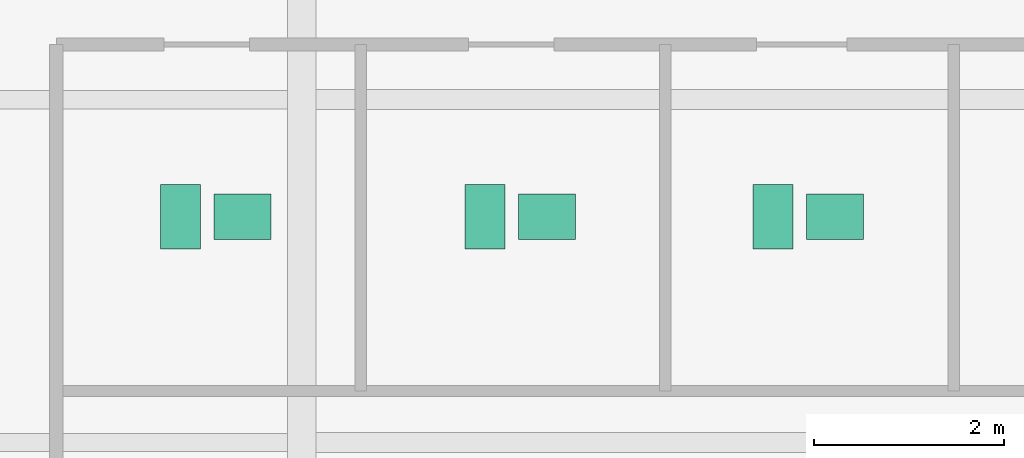
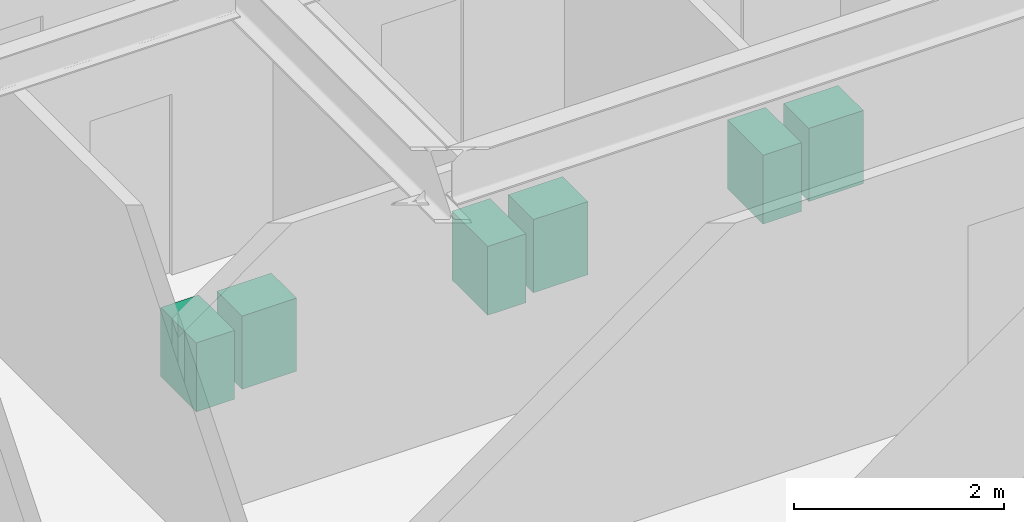
# One storey, part 28 of 28: 6 sanitary terminals.
"""IFC4 building model written with IfcOpenShell, lengths in metres."""

import ifcopenshell
import ifcopenshell.guid

model = None  # the IFC model being written
_history = None  # IfcOwnerHistory: only IFC2X3 demands one
_inside = {}  # id of a spatial element -> (the spatial element, [elements in it])
_under = {}  # id of a project, library or spatial element -> (it, [spatial elements below it])
_declared = {}  # id of a project -> (the project, [libraries it declares])
_typed = {}  # id of a type object -> (the type object, [elements of that type])
_made_of = {}  # id of a material, layer set ... -> (it, [elements and type objects made of it])


def new_model(schema):
    """Start an empty IFC model of exactly this schema.

    Asked for "IFC4X3", IfcOpenShell would pick the latest addendum, in which some entities
    have other attributes; the version numbers below select the first issue.
    IFC2X3 requires an IfcOwnerHistory on every rooted entity: one is made here for all.
    """
    global model, _history
    if schema == "IFC4X3":
        model = ifcopenshell.file(schema_version=(4, 3, 0, 0))
    else:
        model = ifcopenshell.file(schema=schema)
    _inside.clear()
    _under.clear()
    _declared.clear()
    _typed.clear()
    _made_of.clear()
    _history = None
    if model.schema == "IFC2X3":
        org = make("IfcOrganization", Name="unknown")
        user = make(
            "IfcPersonAndOrganization",
            ThePerson=make("IfcPerson", FamilyName="unknown"),
            TheOrganization=org,
        )
        app = make(
            "IfcApplication",
            ApplicationDeveloper=org,
            Version="unknown",
            ApplicationFullName="unknown",
            ApplicationIdentifier="unknown",
        )
        _history = make(
            "IfcOwnerHistory",
            OwningUser=user,
            OwningApplication=app,
            ChangeAction="ADDED",
            CreationDate=0,
        )
    return model


def make(cls, **values):
    """One entity of the class cls with the attributes given. An attribute that is None is left unset."""
    return model.create_entity(
        cls, **{name: value for name, value in values.items() if value is not None}
    )


def rooted(cls, **values):
    """An entity with a GlobalId (a new one), such as an element, a storey or a relation."""
    return make(cls, GlobalId=ifcopenshell.guid.new(), OwnerHistory=_history, **values)


def si_unit(unit_type, name, prefix=None):
    """IfcSIUnit, for example si_unit("LENGTHUNIT", "METRE", prefix="MILLI")."""
    return make("IfcSIUnit", UnitType=unit_type, Prefix=prefix, Name=name)


def assignment(units):
    """IfcUnitAssignment: the units of a project."""
    return None if units is None else make("IfcUnitAssignment", Units=units)


def point(xyz):
    """IfcCartesianPoint."""
    return None if xyz is None else make("IfcCartesianPoint", Coordinates=xyz)


def direction(xyz):
    """IfcDirection."""
    return None if xyz is None else make("IfcDirection", DirectionRatios=xyz)


def frame(location, z_axis=None, x_axis=None):
    """IfcAxis2Placement3D, a coordinate frame: its origin and axes. An axis left out is left unset."""
    return make(
        "IfcAxis2Placement3D",
        Location=point(location),
        Axis=direction(z_axis),
        RefDirection=direction(x_axis),
    )


def frame_2d(location, x_axis=None):
    """IfcAxis2Placement2D, a coordinate frame in the plane: its origin and x axis."""
    return make(
        "IfcAxis2Placement2D", Location=point(location), RefDirection=direction(x_axis)
    )


def origin():
    """The frame at (0, 0, 0) with its axes left unset."""
    return frame((0.0, 0.0, 0.0))


def origin_2d():
    """The frame at (0, 0) in the plane with its x axis left unset."""
    return frame_2d((0.0, 0.0))


def place(relative_to, where):
    """IfcLocalPlacement: puts the frame where relative to a parent placement (None: the world)."""
    return make(
        "IfcLocalPlacement", PlacementRelTo=relative_to, RelativePlacement=where
    )


def context(
    kind, dimensions, precision=None, world=None, true_north=None, identifier=None
):
    """IfcGeometricRepresentationContext, for example the 3D "Model" context."""
    return make(
        "IfcGeometricRepresentationContext",
        ContextIdentifier=identifier,
        ContextType=kind,
        CoordinateSpaceDimension=dimensions,
        Precision=precision,
        WorldCoordinateSystem=world,
        TrueNorth=true_north,
    )


def subcontext(parent, identifier, kind, view, scale=None):
    """IfcGeometricRepresentationSubContext, for example "Body" below "Model"."""
    return make(
        "IfcGeometricRepresentationSubContext",
        ContextIdentifier=identifier,
        ContextType=kind,
        ParentContext=parent,
        TargetScale=scale,
        TargetView=view,
    )


def project(units=None, contexts=None):
    """IfcProject with its units and contexts."""
    return rooted(
        "IfcProject",
        Name="project",
        RepresentationContexts=contexts,
        UnitsInContext=assignment(units),
    )


def spatial(cls, under=None, at=None, **own):
    """A site, building, storey or space (cls), placed at a placement, below another one or the project."""
    s = rooted(cls, ObjectPlacement=at, **own)
    if under is not None:
        _under.setdefault(under.id(), (under, []))[1].append(s)
    return s


def profile(cls, at=None, kind="AREA", **sizes):
    """A parametric profile (cls). Its sizes go by their IFC names, for example OverallWidth=200.0."""
    return make(cls, ProfileType=kind, Position=at, **sizes)


def rectangle(**sizes):
    """IfcRectangleProfileDef."""
    return profile("IfcRectangleProfileDef", **sizes)


def extrude(swept, where, along, depth):
    """IfcExtrudedAreaSolid: the profile swept, set in the frame where, extruded along a direction by depth."""
    return make(
        "IfcExtrudedAreaSolid",
        SweptArea=swept,
        Position=where,
        ExtrudedDirection=direction(along),
        Depth=depth,
    )


def shape(context_of_items, identifier, shape_type, items):
    """IfcShapeRepresentation: the items that make up one representation, for example the "Body"."""
    return make(
        "IfcShapeRepresentation",
        ContextOfItems=context_of_items,
        RepresentationIdentifier=identifier,
        RepresentationType=shape_type,
        Items=items,
    )


def source(mapping_origin, context_of_items, identifier, shape_type, items):
    """IfcRepresentationMap: a shape defined once, which mapped items show again and again."""
    return make(
        "IfcRepresentationMap",
        MappingOrigin=mapping_origin,
        MappedRepresentation=shape(context_of_items, identifier, shape_type, items),
    )


def transform(
    local_origin,
    x_axis=None,
    y_axis=None,
    z_axis=None,
    scale=None,
    scale2=None,
    scale3=None,
    uniform=True,
):
    """IfcCartesianTransformationOperator3D, or its non-uniform kind. x_axis, y_axis, z_axis: its Axis1, 2, 3."""
    if uniform:
        return make(
            "IfcCartesianTransformationOperator3D",
            Axis1=direction(x_axis),
            Axis2=direction(y_axis),
            LocalOrigin=point(local_origin),
            Scale=scale,
            Axis3=direction(z_axis),
        )
    return make(
        "IfcCartesianTransformationOperator3DnonUniform",
        Axis1=direction(x_axis),
        Axis2=direction(y_axis),
        LocalOrigin=point(local_origin),
        Scale=scale,
        Axis3=direction(z_axis),
        Scale2=scale2,
        Scale3=scale3,
    )


def mapped(mapping_source, mapping_target):
    """IfcMappedItem: shows the shape of a source again, moved by a transform."""
    return make(
        "IfcMappedItem", MappingSource=mapping_source, MappingTarget=mapping_target
    )


def material(Name=None, Category=None):
    """IfcMaterial."""
    return make("IfcMaterial", Name=Name, Category=Category)


def made_of(thing, what):
    """Note that an element or type object is made of a material, layer set ...; save() writes the relation."""
    if what is not None:
        _made_of.setdefault(what.id(), (what, []))[1].append(thing)
    return thing


def type_object(cls, material=None, **own):
    """A type object (cls), such as IfcWallType, which elements share."""
    return made_of(rooted(cls, **own), material)


def type_shapes(of_type, sources):
    """Give a type object the sources (RepresentationMaps) that its elements show as mapped items."""
    of_type.RepresentationMaps = sources


def element(
    cls,
    number,
    at=None,
    inside=None,
    cuts=None,
    type_object=None,
    material=None,
    context=None,
    identifier="Body",
    shape_type=None,
    held_by="IfcProductDefinitionShape",
    body=None,
    shapes=None,
    **own,
):
    """One element of the class cls, such as IfcWall. Its Tag is "e" and its number.

    at: its placement. inside: the storey or other place that contains it. cuts: it is an
    opening in that element (IfcRelVoidsElement). A single representation is given by context,
    identifier, shape_type and body (its items); several are given by shapes. held_by: the class
    of the entity that holds the representations. save() writes the other relations.
    """
    e = rooted(cls, Tag="e%d" % number, ObjectPlacement=at, **own)
    if body is not None:
        shapes = [shape(context, identifier, shape_type, body)]
    if shapes is not None:
        e.Representation = make(held_by, Representations=shapes)
    if inside is not None:
        _inside.setdefault(inside.id(), (inside, []))[1].append(e)
    if cuts is not None:
        rooted(
            "IfcRelVoidsElement", RelatingBuildingElement=cuts, RelatedOpeningElement=e
        )
    if type_object is not None:
        _typed.setdefault(type_object.id(), (type_object, []))[1].append(e)
    return made_of(e, material)


def aggregate(whole, parts):
    """IfcRelAggregates: a whole, such as a stair, and the parts it consists of."""
    return rooted("IfcRelAggregates", RelatingObject=whole, RelatedObjects=parts)


def save(model, path):
    """Write the relations noted so far, then the file.

    IfcRelAggregates (storeys below a building ...), IfcRelContainedInSpatialStructure (elements
    in a storey), IfcRelDefinesByType, IfcRelAssociatesMaterial and IfcRelDeclares: one each for
    every whole, place, type object, material and project.
    """
    for whole, parts in _under.values():
        aggregate(whole, parts)
    for where, things in _inside.values():
        rooted(
            "IfcRelContainedInSpatialStructure",
            RelatedElements=things,
            RelatingStructure=where,
        )
    for kind, things in _typed.values():
        rooted("IfcRelDefinesByType", RelatedObjects=things, RelatingType=kind)
    for what, things in _made_of.values():
        rooted("IfcRelAssociatesMaterial", RelatedObjects=things, RelatingMaterial=what)
    for by, libraries in _declared.values():
        rooted("IfcRelDeclares", RelatingContext=by, RelatedDefinitions=libraries)
    model.write(path)


model = new_model("IFC4")

# Units and contexts
model_context = context("Model", 3, precision=1e-05, world=origin(), true_north=direction((0.0, 1.0)))
body_context = subcontext(model_context, "Body", "Model", "MODEL_VIEW")
ifc_project = project(units=[si_unit("LENGTHUNIT", "METRE"), si_unit("AREAUNIT", "SQUARE_METRE"), si_unit("VOLUMEUNIT", "CUBIC_METRE"), si_unit("PLANEANGLEUNIT", "RADIAN"), si_unit("MASSUNIT", "GRAM", prefix="KILO")], contexts=[model_context])

# Site, building, storey
site_placement = place(None, origin())
site = spatial("IfcSite", under=ifc_project, at=site_placement, CompositionType="ELEMENT")
building_placement = place(site_placement, origin())
building = spatial("IfcBuilding", under=site, at=building_placement, Name="Krantzveldt Concourse Tower", CompositionType="ELEMENT")
storey_placement = place(building_placement, frame((0.0, 0.0, 32.89990234375)))
storey = spatial("IfcBuildingStorey", under=building, at=storey_placement, Name="L07", CompositionType="ELEMENT", Elevation=32.89990234375)

# Sanitary terminals
ifc_material = material(Name="Vitreous china", Category="ceramic")
sanitary_terminal_type_1 = type_object("IfcSanitaryTerminalType", Name="SAN-WC-SUITE", PredefinedType="TOILETPAN", material=ifc_material)
shared_shape_1 = source(origin(), body_context, "Body", "SweptSolid", [
    extrude(rectangle(XDim=0.419921875, YDim=0.679931640625, at=origin_2d()), origin(), (0.0, 0.0, 1.0), 0.800048828125),
])
type_shapes(sanitary_terminal_type_1, [shared_shape_1])
for number, where, z_axis, x_axis, name in (
    (1, (29.324951171875, 32.570068359375, 0.0), (0.0, 0.0, 1.0), (1.0, 0.0, 0.0), "WC-SP-L07-WCM"),
    (2, (32.52490234375, 32.570068359375, 0.0), (0.0, 0.0, 1.0), (1.0, 0.0, 0.0), "WC-SP-L07-WCF"),
    (3, (35.550048828125, 32.570068359375, 0.0), (0.0, 0.0, 1.0), (1.0, 0.0, 0.0), "WC-SP-L07-WCA"),
):
    element("IfcSanitaryTerminal", number, at=place(storey_placement, frame(where, z_axis=z_axis, x_axis=x_axis)), inside=storey, type_object=sanitary_terminal_type_1, Name=name, PredefinedType="TOILETPAN", context=body_context, shape_type="MappedRepresentation", body=[
        mapped(shared_shape_1, transform((0.0, 0.0, 0.0), x_axis=(1.0, 0.0, 0.0), y_axis=(0.0, 1.0, 0.0), z_axis=(0.0, 0.0, 1.0), scale=1.0)),
    ])
sanitary_terminal_type_2 = type_object("IfcSanitaryTerminalType", Name="SAN-BASIN-600", PredefinedType="WASHHANDBASIN", material=ifc_material)
shared_shape_2 = source(origin(), body_context, "Body", "SweptSolid", [
    extrude(rectangle(XDim=0.60009765625, YDim=0.47998046875, at=origin_2d()), origin(), (0.0, 0.0, 1.0), 0.85009765625),
])
type_shapes(sanitary_terminal_type_2, [shared_shape_2])
for number, where, z_axis, x_axis, name in (
    (4, (29.97509765625, 32.570068359375, 0.005126953125), (0.0, 0.0, 1.0), (1.0, 0.0, 0.0), "BSN-SP-L07-WCM"),
    (5, (33.175048828125, 32.570068359375, 0.005126953125), (0.0, 0.0, 1.0), (1.0, 0.0, 0.0), "BSN-SP-L07-WCF"),
    (6, (36.199951171875, 32.570068359375, 0.005126953125), (0.0, 0.0, 1.0), (1.0, 0.0, 0.0), "BSN-SP-L07-WCA"),
):
    element("IfcSanitaryTerminal", number, at=place(storey_placement, frame(where, z_axis=z_axis, x_axis=x_axis)), inside=storey, type_object=sanitary_terminal_type_2, Name=name, PredefinedType="WASHHANDBASIN", context=body_context, shape_type="MappedRepresentation", body=[
        mapped(shared_shape_2, transform((0.0, 0.0, 0.0), x_axis=(1.0, 0.0, 0.0), y_axis=(0.0, 1.0, 0.0), z_axis=(0.0, 0.0, 1.0), scale=1.0)),
    ])

save(model, "model.ifc")
